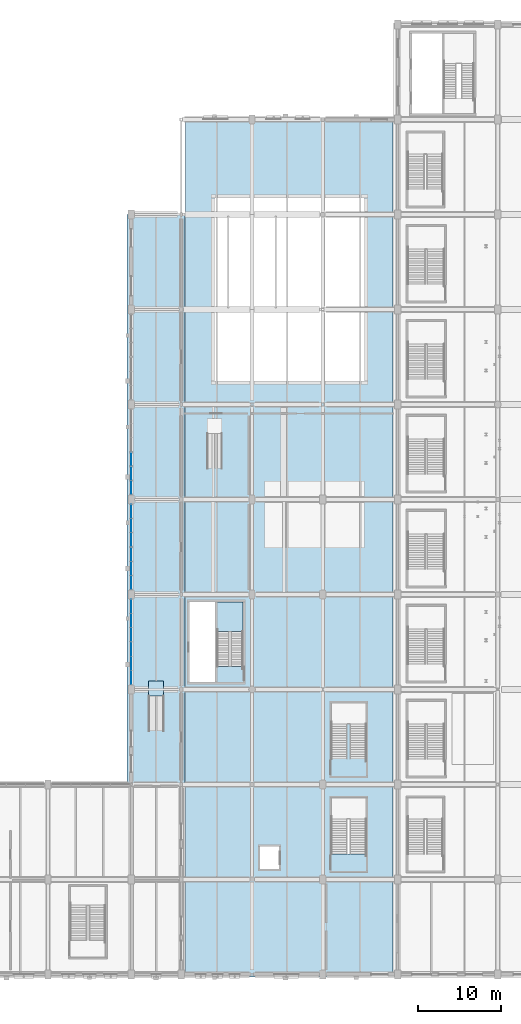
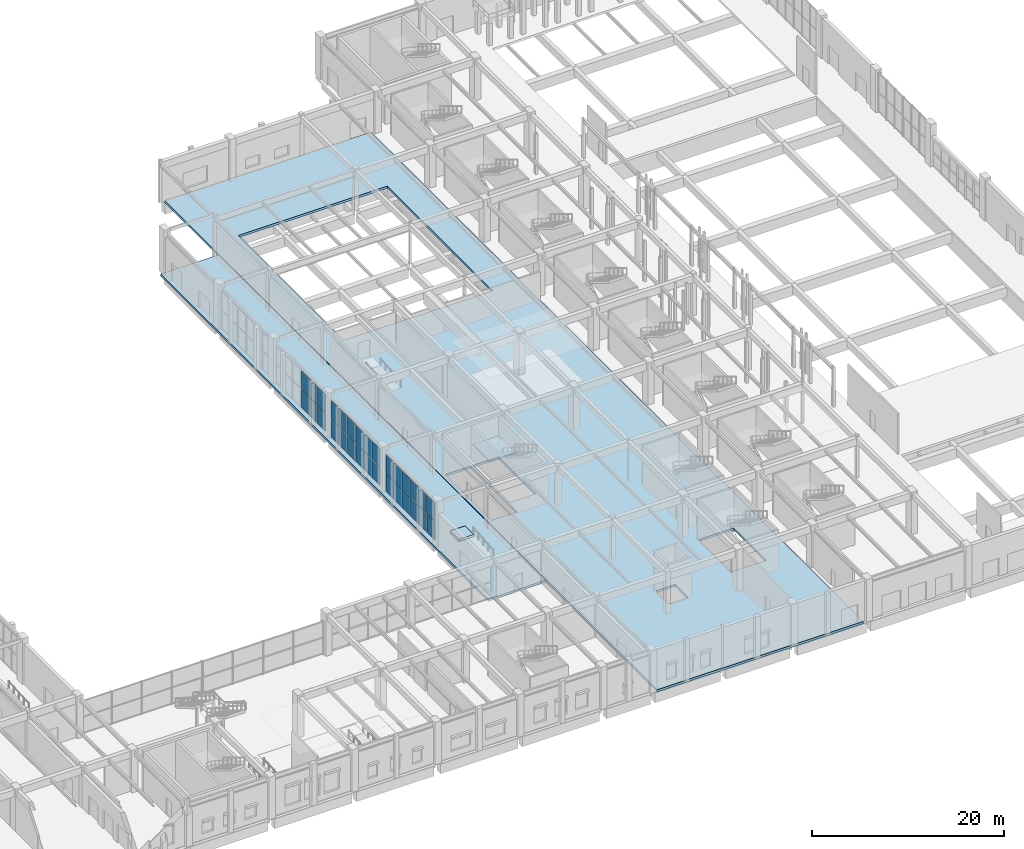
# One storey, part 75 of 113: 30 plates, 4 slabs, 6 elements without a shape of their own.
"""IFC4 building model written with IfcOpenShell, lengths in metres."""

from ifc_helpers import new_model, si_unit, direction, frame, origin, origin_2d, place, context, subcontext, project, spatial, polyline, rectangle, outline, extrude, material, layer, layer_set, type_object, element, aggregate, save


model = new_model("IFC4")

# Units and contexts
model_context = context("Model", 3, precision=1e-05, world=origin(), true_north=direction((0.0, 1.0)))
body_context = subcontext(model_context, "Body", "Model", "MODEL_VIEW")
ifc_project = project(units=[si_unit("LENGTHUNIT", "METRE"), si_unit("AREAUNIT", "SQUARE_METRE"), si_unit("VOLUMEUNIT", "CUBIC_METRE"), si_unit("PLANEANGLEUNIT", "RADIAN"), si_unit("MASSUNIT", "GRAM", prefix="KILO"), si_unit("POWERUNIT", "WATT"), si_unit("THERMODYNAMICTEMPERATUREUNIT", "KELVIN")], contexts=[model_context])

# Site, building, storey
site_placement = place(None, origin())
site = spatial("IfcSite", under=ifc_project, at=site_placement, CompositionType="ELEMENT")
building_placement = place(site_placement, origin())
building = spatial("IfcBuilding", under=site, at=building_placement, Name="Kelmbourne Parkland Aquatics Centre", CompositionType="ELEMENT")
storey_placement = place(building_placement, origin())
storey = spatial("IfcBuildingStorey", under=building, at=storey_placement, Name="L00", CompositionType="ELEMENT", Elevation=0.0)

# Curtain wall, plates
ifc_material_1 = material(Name="Thermally broken anodised aluminium framing", Category="aluminium")
ifc_layer_1 = layer(ifc_material_1, 0.179931640625)
ifc_layer_set_1 = layer_set([ifc_layer_1], Name="Thermally broken anodised aluminium framing")
curtain_wall_type_1 = type_object("IfcCurtainWallType", Name="CW-12", PredefinedType="NOTDEFINED", material=ifc_layer_set_1)
curtain_wall_1_placement = place(storey_placement, origin())
curtain_wall_1 = element("IfcCurtainWall", 1, at=curtain_wall_1_placement, inside=storey, type_object=curtain_wall_type_1, Name="Facade curtain wall CW-L00-180", PredefinedType="NOTDEFINED")
ifc_material_2 = material(Name="Double-glazed low-e laminated safety glass", Category="glass")
ifc_layer_2 = layer(ifc_material_2, 0.02392578125)
ifc_layer_set_2 = layer_set([ifc_layer_2], Name="Double-glazed low-e laminated safety glass")
plate_type_1 = type_object("IfcPlateType", Name="PL-CWP-1", PredefinedType="CURTAIN_PANEL", material=ifc_layer_set_2)
plate_1_placement = place(storey_placement, frame((96.0, 36.431640625, 0.1171875), z_axis=(0.0, 0.0, 1.0), x_axis=(0.0, 1.0, 0.0)))
plate_1 = element("IfcPlate", 2, at=plate_1_placement, type_object=plate_type_1, Name="CW-L00-180 vision glazing 0-0", PredefinedType="CURTAIN_PANEL", context=body_context, shape_type="SweptSolid", body=[
    extrude(rectangle(XDim=1.641357421875, YDim=0.02392578125, at=origin_2d()), origin(), (0.0, 0.0, 1.0), 2.304931640625),
])
plate_2_placement = place(storey_placement, frame((96.0, 38.1259765625, 0.1171875), z_axis=(0.0, 0.0, 1.0), x_axis=(0.0, 1.0, 0.0)))
plate_2 = element("IfcPlate", 3, at=plate_2_placement, type_object=plate_type_1, Name="CW-L00-180 vision glazing 0-1", PredefinedType="CURTAIN_PANEL", context=body_context, shape_type="SweptSolid", body=[
    extrude(rectangle(XDim=1.641357421875, YDim=0.02392578125, at=origin_2d()), origin(), (0.0, 0.0, 1.0), 2.304931640625),
])
plate_3_placement = place(storey_placement, frame((96.0, 39.8203125, 0.1171875), z_axis=(0.0, 0.0, 1.0), x_axis=(0.0, 1.0, 0.0)))
plate_3 = element("IfcPlate", 4, at=plate_3_placement, type_object=plate_type_1, Name="CW-L00-180 vision glazing 0-2", PredefinedType="CURTAIN_PANEL", context=body_context, shape_type="SweptSolid", body=[
    extrude(rectangle(XDim=1.641357421875, YDim=0.02392578125, at=origin_2d()), origin(), (0.0, 0.0, 1.0), 2.304931640625),
])

ifc_layer_3 = layer(ifc_material_1, 0.179931640625)
ifc_layer_set_3 = layer_set([ifc_layer_3], Name="Thermally broken anodised aluminium framing")
curtain_wall_type_2 = type_object("IfcCurtainWallType", Name="CW-14", PredefinedType="NOTDEFINED", material=ifc_layer_set_3)
curtain_wall_2_placement = place(storey_placement, origin())
curtain_wall_2 = element("IfcCurtainWall", 5, at=curtain_wall_2_placement, inside=storey, type_object=curtain_wall_type_2, Name="Facade curtain wall CW-L00-182", PredefinedType="NOTDEFINED")
plate_4_placement = place(storey_placement, frame((96.0, 47.83837890625, 2.56005859375), z_axis=(0.0, 0.0, 1.0), x_axis=(0.0, 1.0, 0.0)))
plate_4 = element("IfcPlate", 6, at=plate_4_placement, type_object=plate_type_1, Name="CW-L00-182 vision glazing 1-0", PredefinedType="CURTAIN_PANEL", context=body_context, shape_type="SweptSolid", body=[
    extrude(rectangle(XDim=1.61474609375, YDim=0.02392578125, at=origin_2d()), origin(), (0.0, 0.0, 1.0), 2.215087890625),
])
plate_5_placement = place(storey_placement, frame((96.0, 49.52587890625, 2.56005859375), z_axis=(0.0, 0.0, 1.0), x_axis=(0.0, 1.0, 0.0)))
plate_5 = element("IfcPlate", 7, at=plate_5_placement, type_object=plate_type_1, Name="CW-L00-182 vision glazing 1-1", PredefinedType="CURTAIN_PANEL", context=body_context, shape_type="SweptSolid", body=[
    extrude(rectangle(XDim=1.614501953125, YDim=0.02392578125, at=origin_2d()), origin(), (0.0, 0.0, 1.0), 2.215087890625),
])
plate_6_placement = place(storey_placement, frame((96.0, 51.213623046875, 2.56005859375), z_axis=(0.0, 0.0, 1.0), x_axis=(0.0, 1.0, 0.0)))
plate_6 = element("IfcPlate", 8, at=plate_6_placement, type_object=plate_type_1, Name="CW-L00-182 vision glazing 1-2", PredefinedType="CURTAIN_PANEL", context=body_context, shape_type="SweptSolid", body=[
    extrude(rectangle(XDim=1.61474609375, YDim=0.02392578125, at=origin_2d()), origin(), (0.0, 0.0, 1.0), 2.215087890625),
])

ifc_layer_4 = layer(ifc_material_1, 0.179931640625)
ifc_layer_set_4 = layer_set([ifc_layer_4], Name="Thermally broken anodised aluminium framing")
curtain_wall_type_3 = type_object("IfcCurtainWallType", Name="CW-15", PredefinedType="NOTDEFINED", material=ifc_layer_set_4)
curtain_wall_3_placement = place(storey_placement, origin())
curtain_wall_3 = element("IfcCurtainWall", 9, at=curtain_wall_3_placement, inside=storey, type_object=curtain_wall_type_3, Name="Facade curtain wall CW-L00-183", PredefinedType="NOTDEFINED")
plate_7_placement = place(storey_placement, frame((96.0, 52.98974609375, 0.1171875), z_axis=(0.0, 0.0, 1.0), x_axis=(0.0, 1.0, 0.0)))
plate_7 = element("IfcPlate", 10, at=plate_7_placement, type_object=plate_type_1, Name="CW-L00-183 vision glazing 0-0", PredefinedType="CURTAIN_PANEL", context=body_context, shape_type="SweptSolid", body=[
    extrude(rectangle(XDim=1.601318359375, YDim=0.02392578125, at=origin_2d()), origin(), (0.0, 0.0, 1.0), 2.304931640625),
])
plate_8_placement = place(storey_placement, frame((96.0, 54.674072265625, 0.1171875), z_axis=(0.0, 0.0, 1.0), x_axis=(0.0, 1.0, 0.0)))
plate_8 = element("IfcPlate", 11, at=plate_8_placement, type_object=plate_type_1, Name="CW-L00-183 vision glazing 0-1", PredefinedType="CURTAIN_PANEL", context=body_context, shape_type="SweptSolid", body=[
    extrude(rectangle(XDim=1.601318359375, YDim=0.02392578125, at=origin_2d()), origin(), (0.0, 0.0, 1.0), 2.304931640625),
])
plate_9_placement = place(storey_placement, frame((96.0, 56.3583984375, 0.1171875), z_axis=(0.0, 0.0, 1.0), x_axis=(0.0, 1.0, 0.0)))
plate_9 = element("IfcPlate", 12, at=plate_9_placement, type_object=plate_type_1, Name="CW-L00-183 vision glazing 0-2", PredefinedType="CURTAIN_PANEL", context=body_context, shape_type="SweptSolid", body=[
    extrude(rectangle(XDim=1.601318359375, YDim=0.02392578125, at=origin_2d()), origin(), (0.0, 0.0, 1.0), 2.304931640625),
])

# Plate
ifc_layer_5 = layer(ifc_material_2, 0.035888671875)
ifc_layer_set_5 = layer_set([ifc_layer_5], Name="Double-glazed low-e laminated safety glass")
plate_type_2 = type_object("IfcPlateType", Name="PL-CWP-2", PredefinedType="CURTAIN_PANEL", material=ifc_layer_set_5)
plate_10_placement = place(storey_placement, frame((96.0, 36.431640625, 2.5302734375), z_axis=(0.0, 0.0, 1.0), x_axis=(0.0, 1.0, 0.0)))
plate_10 = element("IfcPlate", 13, at=plate_10_placement, type_object=plate_type_2, Name="CW-L00-180 vision glazing 1-0", PredefinedType="CURTAIN_PANEL", context=body_context, shape_type="SweptSolid", body=[
    extrude(rectangle(XDim=1.641357421875, YDim=0.035888671875, at=origin_2d()), origin(), (0.0, 0.0, 1.0), 2.304931640625),
])

plate_11_placement = place(storey_placement, frame((96.0, 38.1259765625, 2.5302734375), z_axis=(0.0, 0.0, 1.0), x_axis=(0.0, 1.0, 0.0)))
plate_11 = element("IfcPlate", 14, at=plate_11_placement, type_object=plate_type_2, Name="CW-L00-180 vision glazing 1-1", PredefinedType="CURTAIN_PANEL", context=body_context, shape_type="SweptSolid", body=[
    extrude(rectangle(XDim=1.641357421875, YDim=0.035888671875, at=origin_2d()), origin(), (0.0, 0.0, 1.0), 2.304931640625),
])

plate_12_placement = place(storey_placement, frame((96.0, 39.8203125, 2.5302734375), z_axis=(0.0, 0.0, 1.0), x_axis=(0.0, 1.0, 0.0)))
plate_12 = element("IfcPlate", 15, at=plate_12_placement, type_object=plate_type_2, Name="CW-L00-180 vision glazing 1-2", PredefinedType="CURTAIN_PANEL", context=body_context, shape_type="SweptSolid", body=[
    extrude(rectangle(XDim=1.641357421875, YDim=0.035888671875, at=origin_2d()), origin(), (0.0, 0.0, 1.0), 2.304931640625),
])

aggregate(curtain_wall_1, [plate_1, plate_2, plate_3, plate_10, plate_11, plate_12])

# Curtain wall, plates
ifc_layer_6 = layer(ifc_material_1, 0.179931640625)
ifc_layer_set_6 = layer_set([ifc_layer_6], Name="Thermally broken anodised aluminium framing")
curtain_wall_type_4 = type_object("IfcCurtainWallType", Name="CW-13", PredefinedType="NOTDEFINED", material=ifc_layer_set_6)
curtain_wall_4_placement = place(storey_placement, origin())
curtain_wall_4 = element("IfcCurtainWall", 16, at=curtain_wall_4_placement, inside=storey, type_object=curtain_wall_type_4, Name="Facade curtain wall CW-L00-181", PredefinedType="NOTDEFINED")
plate_13_placement = place(storey_placement, frame((96.0, 41.5830078125, 0.14697265625), z_axis=(0.0, 0.0, 1.0), x_axis=(0.0, 1.0, 0.0)))
plate_13 = element("IfcPlate", 17, at=plate_13_placement, type_object=plate_type_2, Name="CW-L00-181 vision glazing 0-0", PredefinedType="CURTAIN_PANEL", context=body_context, shape_type="SweptSolid", body=[
    extrude(rectangle(XDim=1.6279296875, YDim=0.035888671875, at=origin_2d()), origin(), (0.0, 0.0, 1.0), 2.260009765625),
])
plate_14_placement = place(storey_placement, frame((96.0, 43.27392578125, 0.14697265625), z_axis=(0.0, 0.0, 1.0), x_axis=(0.0, 1.0, 0.0)))
plate_14 = element("IfcPlate", 18, at=plate_14_placement, type_object=plate_type_2, Name="CW-L00-181 vision glazing 0-1", PredefinedType="CURTAIN_PANEL", context=body_context, shape_type="SweptSolid", body=[
    extrude(rectangle(XDim=1.6279296875, YDim=0.035888671875, at=origin_2d()), origin(), (0.0, 0.0, 1.0), 2.260009765625),
])
plate_15_placement = place(storey_placement, frame((96.0, 44.965087890625, 0.14697265625), z_axis=(0.0, 0.0, 1.0), x_axis=(0.0, 1.0, 0.0)))
plate_15 = element("IfcPlate", 19, at=plate_15_placement, type_object=plate_type_2, Name="CW-L00-181 vision glazing 0-2", PredefinedType="CURTAIN_PANEL", context=body_context, shape_type="SweptSolid", body=[
    extrude(rectangle(XDim=1.6279296875, YDim=0.035888671875, at=origin_2d()), origin(), (0.0, 0.0, 1.0), 2.260009765625),
])

# Plate
plate_16_placement = place(storey_placement, frame((96.0, 52.98974609375, 2.5302734375), z_axis=(0.0, 0.0, 1.0), x_axis=(0.0, 1.0, 0.0)))
plate_16 = element("IfcPlate", 20, at=plate_16_placement, type_object=plate_type_2, Name="CW-L00-183 vision glazing 1-0", PredefinedType="CURTAIN_PANEL", context=body_context, shape_type="SweptSolid", body=[
    extrude(rectangle(XDim=1.601318359375, YDim=0.035888671875, at=origin_2d()), origin(), (0.0, 0.0, 1.0), 2.304931640625),
])

plate_17_placement = place(storey_placement, frame((96.0, 54.674072265625, 2.5302734375), z_axis=(0.0, 0.0, 1.0), x_axis=(0.0, 1.0, 0.0)))
plate_17 = element("IfcPlate", 21, at=plate_17_placement, type_object=plate_type_2, Name="CW-L00-183 vision glazing 1-1", PredefinedType="CURTAIN_PANEL", context=body_context, shape_type="SweptSolid", body=[
    extrude(rectangle(XDim=1.601318359375, YDim=0.035888671875, at=origin_2d()), origin(), (0.0, 0.0, 1.0), 2.304931640625),
])

plate_18_placement = place(storey_placement, frame((96.0, 56.3583984375, 2.5302734375), z_axis=(0.0, 0.0, 1.0), x_axis=(0.0, 1.0, 0.0)))
plate_18 = element("IfcPlate", 22, at=plate_18_placement, type_object=plate_type_2, Name="CW-L00-183 vision glazing 1-2", PredefinedType="CURTAIN_PANEL", context=body_context, shape_type="SweptSolid", body=[
    extrude(rectangle(XDim=1.601318359375, YDim=0.035888671875, at=origin_2d()), origin(), (0.0, 0.0, 1.0), 2.304931640625),
])

aggregate(curtain_wall_3, [plate_7, plate_8, plate_9, plate_16, plate_17, plate_18])

# Curtain wall, plates
ifc_layer_7 = layer(ifc_material_1, 0.179931640625)
ifc_layer_set_7 = layer_set([ifc_layer_7], Name="Thermally broken anodised aluminium framing")
curtain_wall_type_5 = type_object("IfcCurtainWallType", Name="CW-16", PredefinedType="NOTDEFINED", material=ifc_layer_set_7)
curtain_wall_5_placement = place(storey_placement, origin())
curtain_wall_5 = element("IfcCurtainWall", 23, at=curtain_wall_5_placement, inside=storey, type_object=curtain_wall_type_5, Name="Facade curtain wall CW-L00-184", PredefinedType="NOTDEFINED")
plate_19_placement = place(storey_placement, frame((96.0, 59.2451171875, 0.14697265625), z_axis=(0.0, 0.0, 1.0), x_axis=(0.0, 1.0, 0.0)))
plate_19 = element("IfcPlate", 24, at=plate_19_placement, type_object=plate_type_2, Name="CW-L00-184 vision glazing 0-0", PredefinedType="CURTAIN_PANEL", context=body_context, shape_type="SweptSolid", body=[
    extrude(rectangle(XDim=1.587890625, YDim=0.035888671875, at=origin_2d()), origin(), (0.0, 0.0, 1.0), 2.260009765625),
])
plate_20_placement = place(storey_placement, frame((96.0, 60.926025390625, 0.14697265625), z_axis=(0.0, 0.0, 1.0), x_axis=(0.0, 1.0, 0.0)))
plate_20 = element("IfcPlate", 25, at=plate_20_placement, type_object=plate_type_2, Name="CW-L00-184 vision glazing 0-1", PredefinedType="CURTAIN_PANEL", context=body_context, shape_type="SweptSolid", body=[
    extrude(rectangle(XDim=1.587890625, YDim=0.035888671875, at=origin_2d()), origin(), (0.0, 0.0, 1.0), 2.260009765625),
])
plate_21_placement = place(storey_placement, frame((96.0, 62.60693359375, 0.14697265625), z_axis=(0.0, 0.0, 1.0), x_axis=(0.0, 1.0, 0.0)))
plate_21 = element("IfcPlate", 26, at=plate_21_placement, type_object=plate_type_2, Name="CW-L00-184 vision glazing 0-2", PredefinedType="CURTAIN_PANEL", context=body_context, shape_type="SweptSolid", body=[
    extrude(rectangle(XDim=1.587890625, YDim=0.035888671875, at=origin_2d()), origin(), (0.0, 0.0, 1.0), 2.260009765625),
])

# Plate
ifc_layer_8 = layer(ifc_material_2, 0.048095703125)
ifc_layer_set_8 = layer_set([ifc_layer_8], Name="Double-glazed low-e laminated safety glass")
plate_type_3 = type_object("IfcPlateType", Name="PL-CWP-3", PredefinedType="CURTAIN_PANEL", material=ifc_layer_set_8)
plate_22_placement = place(storey_placement, frame((96.0, 41.5830078125, 2.544921875), z_axis=(0.0, 0.0, 1.0), x_axis=(0.0, 1.0, 0.0)))
plate_22 = element("IfcPlate", 27, at=plate_22_placement, type_object=plate_type_3, Name="CW-L00-181 vision glazing 1-0", PredefinedType="CURTAIN_PANEL", context=body_context, shape_type="SweptSolid", body=[
    extrude(rectangle(XDim=1.6279296875, YDim=0.048095703125, at=origin_2d()), origin(), (0.0, 0.0, 1.0), 2.260009765625),
])

plate_23_placement = place(storey_placement, frame((96.0, 43.27392578125, 2.544921875), z_axis=(0.0, 0.0, 1.0), x_axis=(0.0, 1.0, 0.0)))
plate_23 = element("IfcPlate", 28, at=plate_23_placement, type_object=plate_type_3, Name="CW-L00-181 vision glazing 1-1", PredefinedType="CURTAIN_PANEL", context=body_context, shape_type="SweptSolid", body=[
    extrude(rectangle(XDim=1.6279296875, YDim=0.048095703125, at=origin_2d()), origin(), (0.0, 0.0, 1.0), 2.260009765625),
])

plate_24_placement = place(storey_placement, frame((96.0, 44.965087890625, 2.544921875), z_axis=(0.0, 0.0, 1.0), x_axis=(0.0, 1.0, 0.0)))
plate_24 = element("IfcPlate", 29, at=plate_24_placement, type_object=plate_type_3, Name="CW-L00-181 vision glazing 1-2", PredefinedType="CURTAIN_PANEL", context=body_context, shape_type="SweptSolid", body=[
    extrude(rectangle(XDim=1.6279296875, YDim=0.048095703125, at=origin_2d()), origin(), (0.0, 0.0, 1.0), 2.260009765625),
])

aggregate(curtain_wall_4, [plate_13, plate_14, plate_15, plate_22, plate_23, plate_24])

plate_25_placement = place(storey_placement, frame((96.0, 47.83837890625, 0.1767578125), z_axis=(0.0, 0.0, 1.0), x_axis=(0.0, 1.0, 0.0)))
plate_25 = element("IfcPlate", 30, at=plate_25_placement, type_object=plate_type_3, Name="CW-L00-182 vision glazing 0-0", PredefinedType="CURTAIN_PANEL", context=body_context, shape_type="SweptSolid", body=[
    extrude(rectangle(XDim=1.61474609375, YDim=0.048095703125, at=origin_2d()), origin(), (0.0, 0.0, 1.0), 2.215087890625),
])

plate_26_placement = place(storey_placement, frame((96.0, 49.52587890625, 0.1767578125), z_axis=(0.0, 0.0, 1.0), x_axis=(0.0, 1.0, 0.0)))
plate_26 = element("IfcPlate", 31, at=plate_26_placement, type_object=plate_type_3, Name="CW-L00-182 vision glazing 0-1", PredefinedType="CURTAIN_PANEL", context=body_context, shape_type="SweptSolid", body=[
    extrude(rectangle(XDim=1.614501953125, YDim=0.048095703125, at=origin_2d()), origin(), (0.0, 0.0, 1.0), 2.215087890625),
])

plate_27_placement = place(storey_placement, frame((96.0, 51.213623046875, 0.1767578125), z_axis=(0.0, 0.0, 1.0), x_axis=(0.0, 1.0, 0.0)))
plate_27 = element("IfcPlate", 32, at=plate_27_placement, type_object=plate_type_3, Name="CW-L00-182 vision glazing 0-2", PredefinedType="CURTAIN_PANEL", context=body_context, shape_type="SweptSolid", body=[
    extrude(rectangle(XDim=1.61474609375, YDim=0.048095703125, at=origin_2d()), origin(), (0.0, 0.0, 1.0), 2.215087890625),
])

aggregate(curtain_wall_2, [plate_25, plate_26, plate_27, plate_4, plate_5, plate_6])

plate_28_placement = place(storey_placement, frame((96.0, 59.2451171875, 2.544921875), z_axis=(0.0, 0.0, 1.0), x_axis=(0.0, 1.0, 0.0)))
plate_28 = element("IfcPlate", 33, at=plate_28_placement, type_object=plate_type_3, Name="CW-L00-184 vision glazing 1-0", PredefinedType="CURTAIN_PANEL", context=body_context, shape_type="SweptSolid", body=[
    extrude(rectangle(XDim=1.587890625, YDim=0.048095703125, at=origin_2d()), origin(), (0.0, 0.0, 1.0), 2.260009765625),
])

plate_29_placement = place(storey_placement, frame((96.0, 60.926025390625, 2.544921875), z_axis=(0.0, 0.0, 1.0), x_axis=(0.0, 1.0, 0.0)))
plate_29 = element("IfcPlate", 34, at=plate_29_placement, type_object=plate_type_3, Name="CW-L00-184 vision glazing 1-1", PredefinedType="CURTAIN_PANEL", context=body_context, shape_type="SweptSolid", body=[
    extrude(rectangle(XDim=1.587890625, YDim=0.048095703125, at=origin_2d()), origin(), (0.0, 0.0, 1.0), 2.260009765625),
])

plate_30_placement = place(storey_placement, frame((96.0, 62.60693359375, 2.544921875), z_axis=(0.0, 0.0, 1.0), x_axis=(0.0, 1.0, 0.0)))
plate_30 = element("IfcPlate", 35, at=plate_30_placement, type_object=plate_type_3, Name="CW-L00-184 vision glazing 1-2", PredefinedType="CURTAIN_PANEL", context=body_context, shape_type="SweptSolid", body=[
    extrude(rectangle(XDim=1.587890625, YDim=0.048095703125, at=origin_2d()), origin(), (0.0, 0.0, 1.0), 2.260009765625),
])

aggregate(curtain_wall_5, [plate_19, plate_20, plate_21, plate_28, plate_29, plate_30])

# Slabs
ifc_material_3 = material(Name="Concrete C40/50", Category="concrete")
ifc_layer_9 = layer(ifc_material_3, 0.280029296875)
ifc_layer_set_9 = layer_set([ifc_layer_9], Name="Concrete C40/50")
slab_type_1 = type_object("IfcSlabType", Name="SL-F1", PredefinedType="FLOOR", material=ifc_layer_set_9)
slab_1_placement = place(storey_placement, frame((0.0, 0.0, -0.280029296875)))
element("IfcSlab", 36, at=slab_1_placement, inside=storey, type_object=slab_type_1, Name="L00 Changing villages and leisure pool deck slab", PredefinedType="FLOOR", context=body_context, shape_type="SweptSolid", body=[
    extrude(outline(polyline([(102.5400390625, 0.5), (127.419921875, 0.5), (127.419921875, 103.39990234375), (102.5400390625, 103.39990234375), (102.5400390625, 0.5)]), holes=[polyline([(111.449951171875, 16.14990234375), (113.75, 16.14990234375), (113.75, 13.449951171875), (111.449951171875, 13.449951171875), (111.449951171875, 16.14990234375)]), polyline([(120.0, 22.0), (124.199951171875, 22.0), (124.199951171875, 15.25), (120.0, 15.25), (120.0, 22.0)]), polyline([(103.0, 45.5), (106.074951171875, 45.5), (106.074951171875, 35.89990234375), (103.0, 35.89990234375), (103.0, 45.5)]), polyline([(109.39990234375, 45.5), (109.39990234375, 37.75), (106.324951171875, 37.75), (106.324951171875, 45.5), (109.39990234375, 45.5)]), polyline([(124.0, 94.0), (124.0, 72.0), (106.0, 72.0), (106.0, 94.0), (124.0, 94.0)])]), origin(), (0.0, 0.0, 1.0), 0.280029296875),
])
slab_2_placement = place(storey_placement, frame((0.0, 0.0, -0.280029296875)))
element("IfcSlab", 37, at=slab_2_placement, inside=storey, type_object=slab_type_1, Name="L00 East garden colonnade slab", PredefinedType="FLOOR", context=body_context, shape_type="SweptSolid", body=[
    extrude(outline(polyline([(102.47998046875, 23.60009765625), (102.47998046875, 92.0), (95.5, 92.0), (95.5, 23.60009765625), (102.47998046875, 23.60009765625)])), origin(), (0.0, 0.0, 1.0), 0.280029296875),
])

# Stair, slab
stair_type = type_object("IfcStairType", Name="ST-T13", PredefinedType="HALF_TURN_STAIR", material=ifc_material_3)
stair_placement = place(storey_placement, origin())
stair = element("IfcStair", 38, at=stair_placement, inside=storey, type_object=stair_type, Name="East Spine Club and Village Core Stair ST04 (L00)", PredefinedType="HALF_TURN_STAIR")
ifc_layer_10 = layer(ifc_material_3, 0.199951171875)
ifc_layer_set_10 = layer_set([ifc_layer_10], Name="Concrete C40/50")
slab_type_2 = type_object("IfcSlabType", Name="SL-LND-20", PredefinedType="LANDING", material=ifc_layer_set_10)
slab_3_placement = place(storey_placement, frame((0.0, 0.0, 2.5)))
slab_3 = element("IfcSlab", 39, at=slab_3_placement, type_object=slab_type_2, Name="East Spine Club and Village Core Stair ST04 half-landing (L00)", PredefinedType="LANDING", context=body_context, shape_type="SweptSolid", body=[
    extrude(outline(polyline([(106.304931640625, 41.949951171875), (109.419921875, 41.949951171875), (109.419921875, 45.52001953125), (106.304931640625, 45.52001953125), (106.304931640625, 41.949951171875)])), origin(), (0.0, 0.0, 1.0), 0.199951171875),
])
aggregate(stair, [slab_3])

# Slab
slab_4_placement = place(storey_placement, frame((0.0, 0.0, 0.02001953125)))
element("IfcSlab", 40, at=slab_4_placement, inside=storey, type_object=slab_type_2, Name="Colonnade East Accessible Ramp upper plinth landing", PredefinedType="LANDING", context=body_context, shape_type="SweptSolid", body=[
    extrude(outline(polyline([(98.10009765625, 34.199951171875), (99.89990234375, 34.199951171875), (99.89990234375, 36.0), (98.10009765625, 36.0), (98.10009765625, 34.199951171875)])), origin(), (0.0, 0.0, 1.0), 0.280029296875),
])

save(model, "model.ifc")
